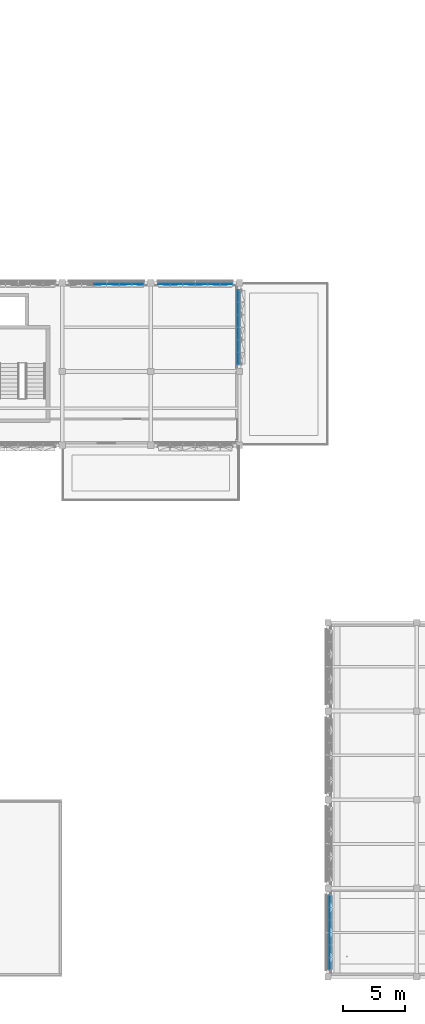
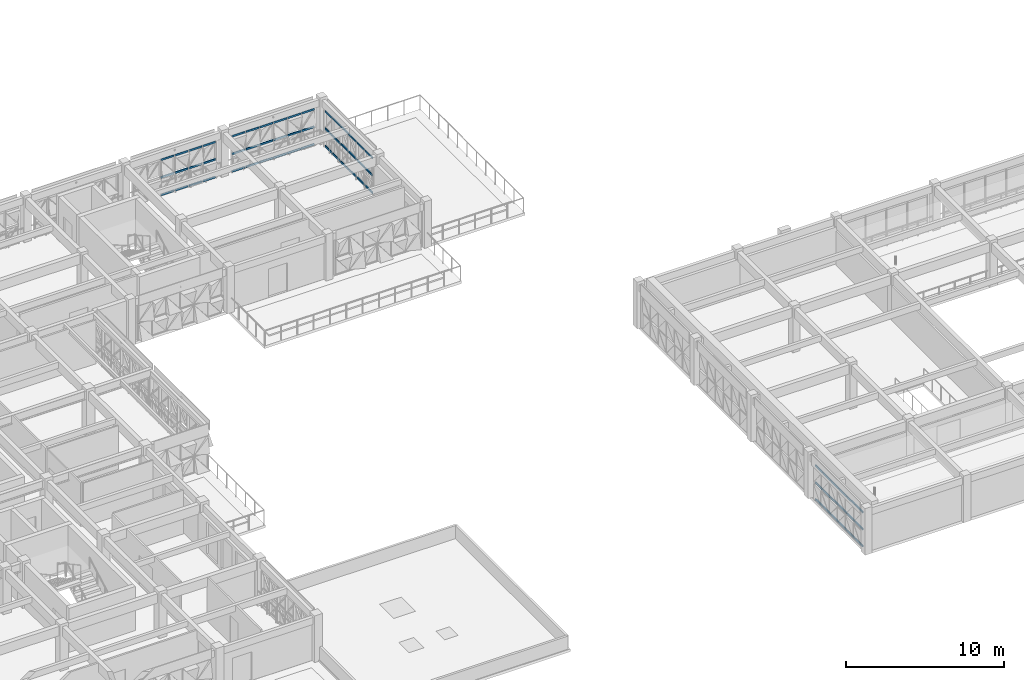
# One storey, part 19 of 74: 66 members, 4 elements without a shape of their own.
"""IFC4 building model written with IfcOpenShell, lengths in metres."""

from ifc_helpers import new_model, si_unit, direction, frame, origin, origin_2d, place, context, subcontext, project, spatial, rectangle, extrude, material, material_profile, profile_set, type_object, element, aggregate, save


model = new_model("IFC4")

# Units and contexts
model_context = context("Model", 3, precision=1e-05, world=origin(), true_north=direction((0.0, 1.0)))
body_context = subcontext(model_context, "Body", "Model", "MODEL_VIEW")
ifc_project = project(units=[si_unit("LENGTHUNIT", "METRE"), si_unit("AREAUNIT", "SQUARE_METRE"), si_unit("VOLUMEUNIT", "CUBIC_METRE"), si_unit("PLANEANGLEUNIT", "RADIAN"), si_unit("MASSUNIT", "GRAM", prefix="KILO")], contexts=[model_context])

# Site, building, storey
site_placement = place(None, origin())
site = spatial("IfcSite", under=ifc_project, at=site_placement, CompositionType="ELEMENT")
building_placement = place(site_placement, origin())
building = spatial("IfcBuilding", under=site, at=building_placement, Name="Alvorim Cloister Faculty of Sciences", CompositionType="ELEMENT")
storey_placement = place(building_placement, frame((0.0, 0.0, 15.75)))
storey = spatial("IfcBuildingStorey", under=building, at=storey_placement, Name="L04", CompositionType="ELEMENT", Elevation=15.75)

# Curtain wall, members
ifc_material_1 = material(Name="Aluminium and Low-E Glass Curtain Wall", Category="aluminium")
curtain_wall_type_1 = type_object("IfcCurtainWallType", Name="CW-TRI-6120x2850", PredefinedType="USERDEFINED", material=ifc_material_1)
curtain_wall_1_placement = place(storey_placement, origin())
curtain_wall_1 = element("IfcCurtainWall", 1, at=curtain_wall_1_placement, inside=storey, type_object=curtain_wall_type_1, Name="L04 Diagonal Cassette Curtain Wall CW-0192", ObjectType="UNITISED CURTAIN WALL", PredefinedType="USERDEFINED")
ifc_material_2 = material(Name="Aluminium Alloy 6063-T6", Category="aluminium")
ifc_material_profile = material_profile(ifc_material_2, rectangle(XDim=0.06494140625, YDim=0.139892578125, at=origin_2d()), Name="ALU-TRN-65x140")
ifc_profile_set = profile_set([ifc_material_profile], Name="Aluminium Alloy 6063-T6")
member_type = type_object("IfcMemberType", Name="CW-TRN-65x140", PredefinedType="USERDEFINED", material=ifc_profile_set)
member_1_placement = place(storey_placement, frame((45.8125, 56.31005859375, 0.070068359375), z_axis=(1.0, 0.0, 0.0), x_axis=(0.0, 1.0, 0.0)))
member_1 = element("IfcMember", 2, at=member_1_placement, type_object=member_type, Name="CW-0192 Transom 3.1", ObjectType="TRANSOM", PredefinedType="USERDEFINED", context=body_context, shape_type="SweptSolid", body=[
    extrude(rectangle(XDim=0.06494140625, YDim=0.139892578125, at=origin_2d()), origin(), (0.0, 0.0, 1.0), 0.955078125),
])
member_2_placement = place(storey_placement, frame((45.8125, 56.31005859375, 1.425048828125), z_axis=(1.0, 0.0, 0.0), x_axis=(0.0, 1.0, 0.0)))
member_2 = element("IfcMember", 3, at=member_2_placement, type_object=member_type, Name="CW-0192 Transom 3.2", ObjectType="TRANSOM", PredefinedType="USERDEFINED", context=body_context, shape_type="SweptSolid", body=[
    extrude(rectangle(XDim=0.06494140625, YDim=0.139892578125, at=origin_2d()), origin(), (0.0, 0.0, 1.0), 0.955078125),
])
member_3_placement = place(storey_placement, frame((45.8125, 56.31005859375, 2.780029296875), z_axis=(1.0, 0.0, 0.0), x_axis=(0.0, 1.0, 0.0)))
member_3 = element("IfcMember", 4, at=member_3_placement, type_object=member_type, Name="CW-0192 Transom 3.3", ObjectType="TRANSOM", PredefinedType="USERDEFINED", context=body_context, shape_type="SweptSolid", body=[
    extrude(rectangle(XDim=0.06494140625, YDim=0.139892578125, at=origin_2d()), origin(), (0.0, 0.0, 1.0), 0.955078125),
])
member_4_placement = place(storey_placement, frame((46.83251953125, 56.31005859375, 0.070068359375), z_axis=(1.0, 0.0, 0.0), x_axis=(0.0, 1.0, 0.0)))
member_4 = element("IfcMember", 5, at=member_4_placement, type_object=member_type, Name="CW-0192 Transom 4.1", ObjectType="TRANSOM", PredefinedType="USERDEFINED", context=body_context, shape_type="SweptSolid", body=[
    extrude(rectangle(XDim=0.06494140625, YDim=0.139892578125, at=origin_2d()), origin(), (0.0, 0.0, 1.0), 0.955078125),
])
member_5_placement = place(storey_placement, frame((46.83251953125, 56.31005859375, 1.425048828125), z_axis=(1.0, 0.0, 0.0), x_axis=(0.0, 1.0, 0.0)))
member_5 = element("IfcMember", 6, at=member_5_placement, type_object=member_type, Name="CW-0192 Transom 4.2", ObjectType="TRANSOM", PredefinedType="USERDEFINED", context=body_context, shape_type="SweptSolid", body=[
    extrude(rectangle(XDim=0.06494140625, YDim=0.139892578125, at=origin_2d()), origin(), (0.0, 0.0, 1.0), 0.955078125),
])
member_6_placement = place(storey_placement, frame((46.83251953125, 56.31005859375, 2.780029296875), z_axis=(1.0, 0.0, 0.0), x_axis=(0.0, 1.0, 0.0)))
member_6 = element("IfcMember", 7, at=member_6_placement, type_object=member_type, Name="CW-0192 Transom 4.3", ObjectType="TRANSOM", PredefinedType="USERDEFINED", context=body_context, shape_type="SweptSolid", body=[
    extrude(rectangle(XDim=0.06494140625, YDim=0.139892578125, at=origin_2d()), origin(), (0.0, 0.0, 1.0), 0.955078125),
])
member_7_placement = place(storey_placement, frame((47.8525390625, 56.31005859375, 0.070068359375), z_axis=(1.0, 0.0, 0.0), x_axis=(0.0, 1.0, 0.0)))
member_7 = element("IfcMember", 8, at=member_7_placement, type_object=member_type, Name="CW-0192 Transom 5.1", ObjectType="TRANSOM", PredefinedType="USERDEFINED", context=body_context, shape_type="SweptSolid", body=[
    extrude(rectangle(XDim=0.06494140625, YDim=0.139892578125, at=origin_2d()), origin(), (0.0, 0.0, 1.0), 0.955078125),
])
member_8_placement = place(storey_placement, frame((47.8525390625, 56.31005859375, 1.425048828125), z_axis=(1.0, 0.0, 0.0), x_axis=(0.0, 1.0, 0.0)))
member_8 = element("IfcMember", 9, at=member_8_placement, type_object=member_type, Name="CW-0192 Transom 5.2", ObjectType="TRANSOM", PredefinedType="USERDEFINED", context=body_context, shape_type="SweptSolid", body=[
    extrude(rectangle(XDim=0.06494140625, YDim=0.139892578125, at=origin_2d()), origin(), (0.0, 0.0, 1.0), 0.955078125),
])
member_9_placement = place(storey_placement, frame((47.8525390625, 56.31005859375, 2.780029296875), z_axis=(1.0, 0.0, 0.0), x_axis=(0.0, 1.0, 0.0)))
member_9 = element("IfcMember", 10, at=member_9_placement, type_object=member_type, Name="CW-0192 Transom 5.3", ObjectType="TRANSOM", PredefinedType="USERDEFINED", context=body_context, shape_type="SweptSolid", body=[
    extrude(rectangle(XDim=0.06494140625, YDim=0.139892578125, at=origin_2d()), origin(), (0.0, 0.0, 1.0), 0.955078125),
])
member_10_placement = place(storey_placement, frame((48.87255859375, 56.31005859375, 0.070068359375), z_axis=(1.0, 0.0, 0.0), x_axis=(0.0, 1.0, 0.0)))
member_10 = element("IfcMember", 11, at=member_10_placement, type_object=member_type, Name="CW-0192 Transom 6.1", ObjectType="TRANSOM", PredefinedType="USERDEFINED", context=body_context, shape_type="SweptSolid", body=[
    extrude(rectangle(XDim=0.06494140625, YDim=0.139892578125, at=origin_2d()), origin(), (0.0, 0.0, 1.0), 0.92236328125),
])
member_11_placement = place(storey_placement, frame((48.87255859375, 56.31005859375, 1.425048828125), z_axis=(1.0, 0.0, 0.0), x_axis=(0.0, 1.0, 0.0)))
member_11 = element("IfcMember", 12, at=member_11_placement, type_object=member_type, Name="CW-0192 Transom 6.2", ObjectType="TRANSOM", PredefinedType="USERDEFINED", context=body_context, shape_type="SweptSolid", body=[
    extrude(rectangle(XDim=0.06494140625, YDim=0.139892578125, at=origin_2d()), origin(), (0.0, 0.0, 1.0), 0.92236328125),
])
member_12_placement = place(storey_placement, frame((48.87255859375, 56.31005859375, 2.780029296875), z_axis=(1.0, 0.0, 0.0), x_axis=(0.0, 1.0, 0.0)))
member_12 = element("IfcMember", 13, at=member_12_placement, type_object=member_type, Name="CW-0192 Transom 6.3", ObjectType="TRANSOM", PredefinedType="USERDEFINED", context=body_context, shape_type="SweptSolid", body=[
    extrude(rectangle(XDim=0.06494140625, YDim=0.139892578125, at=origin_2d()), origin(), (0.0, 0.0, 1.0), 0.92236328125),
])
aggregate(curtain_wall_1, [member_1, member_2, member_3, member_4, member_5, member_6, member_7, member_8, member_9, member_10, member_11, member_12])

curtain_wall_2_placement = place(storey_placement, origin())
curtain_wall_2 = element("IfcCurtainWall", 14, at=curtain_wall_2_placement, inside=storey, type_object=curtain_wall_type_1, Name="L04 Diagonal Cassette Curtain Wall CW-0193", ObjectType="UNITISED CURTAIN WALL", PredefinedType="USERDEFINED")
member_13_placement = place(storey_placement, frame((51.0048828125, 56.31005859375, 0.070068359375), z_axis=(1.0, 0.0, 0.0), x_axis=(0.0, 1.0, 0.0)))
member_13 = element("IfcMember", 15, at=member_13_placement, type_object=member_type, Name="CW-0193 Transom 1.1", ObjectType="TRANSOM", PredefinedType="USERDEFINED", context=body_context, shape_type="SweptSolid", body=[
    extrude(rectangle(XDim=0.06494140625, YDim=0.139892578125, at=origin_2d()), origin(), (0.0, 0.0, 1.0), 0.922607421875),
])
member_14_placement = place(storey_placement, frame((51.0048828125, 56.31005859375, 1.425048828125), z_axis=(1.0, 0.0, 0.0), x_axis=(0.0, 1.0, 0.0)))
member_14 = element("IfcMember", 16, at=member_14_placement, type_object=member_type, Name="CW-0193 Transom 1.2", ObjectType="TRANSOM", PredefinedType="USERDEFINED", context=body_context, shape_type="SweptSolid", body=[
    extrude(rectangle(XDim=0.06494140625, YDim=0.139892578125, at=origin_2d()), origin(), (0.0, 0.0, 1.0), 0.922607421875),
])
member_15_placement = place(storey_placement, frame((51.0048828125, 56.31005859375, 2.780029296875), z_axis=(1.0, 0.0, 0.0), x_axis=(0.0, 1.0, 0.0)))
member_15 = element("IfcMember", 17, at=member_15_placement, type_object=member_type, Name="CW-0193 Transom 1.3", ObjectType="TRANSOM", PredefinedType="USERDEFINED", context=body_context, shape_type="SweptSolid", body=[
    extrude(rectangle(XDim=0.06494140625, YDim=0.139892578125, at=origin_2d()), origin(), (0.0, 0.0, 1.0), 0.922607421875),
])
member_16_placement = place(storey_placement, frame((51.992431640625, 56.31005859375, 0.070068359375), z_axis=(1.0, 0.0, 0.0), x_axis=(0.0, 1.0, 0.0)))
member_16 = element("IfcMember", 18, at=member_16_placement, type_object=member_type, Name="CW-0193 Transom 2.1", ObjectType="TRANSOM", PredefinedType="USERDEFINED", context=body_context, shape_type="SweptSolid", body=[
    extrude(rectangle(XDim=0.06494140625, YDim=0.139892578125, at=origin_2d()), origin(), (0.0, 0.0, 1.0), 0.955078125),
])
member_17_placement = place(storey_placement, frame((51.992431640625, 56.31005859375, 1.425048828125), z_axis=(1.0, 0.0, 0.0), x_axis=(0.0, 1.0, 0.0)))
member_17 = element("IfcMember", 19, at=member_17_placement, type_object=member_type, Name="CW-0193 Transom 2.2", ObjectType="TRANSOM", PredefinedType="USERDEFINED", context=body_context, shape_type="SweptSolid", body=[
    extrude(rectangle(XDim=0.06494140625, YDim=0.139892578125, at=origin_2d()), origin(), (0.0, 0.0, 1.0), 0.955078125),
])
member_18_placement = place(storey_placement, frame((51.992431640625, 56.31005859375, 2.780029296875), z_axis=(1.0, 0.0, 0.0), x_axis=(0.0, 1.0, 0.0)))
member_18 = element("IfcMember", 20, at=member_18_placement, type_object=member_type, Name="CW-0193 Transom 2.3", ObjectType="TRANSOM", PredefinedType="USERDEFINED", context=body_context, shape_type="SweptSolid", body=[
    extrude(rectangle(XDim=0.06494140625, YDim=0.139892578125, at=origin_2d()), origin(), (0.0, 0.0, 1.0), 0.955078125),
])
member_19_placement = place(storey_placement, frame((53.012451171875, 56.31005859375, 0.070068359375), z_axis=(1.0, 0.0, 0.0), x_axis=(0.0, 1.0, 0.0)))
member_19 = element("IfcMember", 21, at=member_19_placement, type_object=member_type, Name="CW-0193 Transom 3.1", ObjectType="TRANSOM", PredefinedType="USERDEFINED", context=body_context, shape_type="SweptSolid", body=[
    extrude(rectangle(XDim=0.06494140625, YDim=0.139892578125, at=origin_2d()), origin(), (0.0, 0.0, 1.0), 0.955078125),
])
member_20_placement = place(storey_placement, frame((53.012451171875, 56.31005859375, 1.425048828125), z_axis=(1.0, 0.0, 0.0), x_axis=(0.0, 1.0, 0.0)))
member_20 = element("IfcMember", 22, at=member_20_placement, type_object=member_type, Name="CW-0193 Transom 3.2", ObjectType="TRANSOM", PredefinedType="USERDEFINED", context=body_context, shape_type="SweptSolid", body=[
    extrude(rectangle(XDim=0.06494140625, YDim=0.139892578125, at=origin_2d()), origin(), (0.0, 0.0, 1.0), 0.955078125),
])
member_21_placement = place(storey_placement, frame((53.012451171875, 56.31005859375, 2.780029296875), z_axis=(1.0, 0.0, 0.0), x_axis=(0.0, 1.0, 0.0)))
member_21 = element("IfcMember", 23, at=member_21_placement, type_object=member_type, Name="CW-0193 Transom 3.3", ObjectType="TRANSOM", PredefinedType="USERDEFINED", context=body_context, shape_type="SweptSolid", body=[
    extrude(rectangle(XDim=0.06494140625, YDim=0.139892578125, at=origin_2d()), origin(), (0.0, 0.0, 1.0), 0.955078125),
])
member_22_placement = place(storey_placement, frame((54.032470703125, 56.31005859375, 0.070068359375), z_axis=(1.0, 0.0, 0.0), x_axis=(0.0, 1.0, 0.0)))
member_22 = element("IfcMember", 24, at=member_22_placement, type_object=member_type, Name="CW-0193 Transom 4.1", ObjectType="TRANSOM", PredefinedType="USERDEFINED", context=body_context, shape_type="SweptSolid", body=[
    extrude(rectangle(XDim=0.06494140625, YDim=0.139892578125, at=origin_2d()), origin(), (0.0, 0.0, 1.0), 0.955078125),
])
member_23_placement = place(storey_placement, frame((54.032470703125, 56.31005859375, 1.425048828125), z_axis=(1.0, 0.0, 0.0), x_axis=(0.0, 1.0, 0.0)))
member_23 = element("IfcMember", 25, at=member_23_placement, type_object=member_type, Name="CW-0193 Transom 4.2", ObjectType="TRANSOM", PredefinedType="USERDEFINED", context=body_context, shape_type="SweptSolid", body=[
    extrude(rectangle(XDim=0.06494140625, YDim=0.139892578125, at=origin_2d()), origin(), (0.0, 0.0, 1.0), 0.955078125),
])
member_24_placement = place(storey_placement, frame((54.032470703125, 56.31005859375, 2.780029296875), z_axis=(1.0, 0.0, 0.0), x_axis=(0.0, 1.0, 0.0)))
member_24 = element("IfcMember", 26, at=member_24_placement, type_object=member_type, Name="CW-0193 Transom 4.3", ObjectType="TRANSOM", PredefinedType="USERDEFINED", context=body_context, shape_type="SweptSolid", body=[
    extrude(rectangle(XDim=0.06494140625, YDim=0.139892578125, at=origin_2d()), origin(), (0.0, 0.0, 1.0), 0.955078125),
])
member_25_placement = place(storey_placement, frame((55.052490234375, 56.31005859375, 0.070068359375), z_axis=(1.0, 0.0, 0.0), x_axis=(0.0, 1.0, 0.0)))
member_25 = element("IfcMember", 27, at=member_25_placement, type_object=member_type, Name="CW-0193 Transom 5.1", ObjectType="TRANSOM", PredefinedType="USERDEFINED", context=body_context, shape_type="SweptSolid", body=[
    extrude(rectangle(XDim=0.06494140625, YDim=0.139892578125, at=origin_2d()), origin(), (0.0, 0.0, 1.0), 0.955078125),
])
member_26_placement = place(storey_placement, frame((55.052490234375, 56.31005859375, 1.425048828125), z_axis=(1.0, 0.0, 0.0), x_axis=(0.0, 1.0, 0.0)))
member_26 = element("IfcMember", 28, at=member_26_placement, type_object=member_type, Name="CW-0193 Transom 5.2", ObjectType="TRANSOM", PredefinedType="USERDEFINED", context=body_context, shape_type="SweptSolid", body=[
    extrude(rectangle(XDim=0.06494140625, YDim=0.139892578125, at=origin_2d()), origin(), (0.0, 0.0, 1.0), 0.955078125),
])
member_27_placement = place(storey_placement, frame((55.052490234375, 56.31005859375, 2.780029296875), z_axis=(1.0, 0.0, 0.0), x_axis=(0.0, 1.0, 0.0)))
member_27 = element("IfcMember", 29, at=member_27_placement, type_object=member_type, Name="CW-0193 Transom 5.3", ObjectType="TRANSOM", PredefinedType="USERDEFINED", context=body_context, shape_type="SweptSolid", body=[
    extrude(rectangle(XDim=0.06494140625, YDim=0.139892578125, at=origin_2d()), origin(), (0.0, 0.0, 1.0), 0.955078125),
])
member_28_placement = place(storey_placement, frame((56.072509765625, 56.31005859375, 0.070068359375), z_axis=(1.0, 0.0, 0.0), x_axis=(0.0, 1.0, 0.0)))
member_28 = element("IfcMember", 30, at=member_28_placement, type_object=member_type, Name="CW-0193 Transom 6.1", ObjectType="TRANSOM", PredefinedType="USERDEFINED", context=body_context, shape_type="SweptSolid", body=[
    extrude(rectangle(XDim=0.06494140625, YDim=0.139892578125, at=origin_2d()), origin(), (0.0, 0.0, 1.0), 0.922607421875),
])
member_29_placement = place(storey_placement, frame((56.072509765625, 56.31005859375, 1.425048828125), z_axis=(1.0, 0.0, 0.0), x_axis=(0.0, 1.0, 0.0)))
member_29 = element("IfcMember", 31, at=member_29_placement, type_object=member_type, Name="CW-0193 Transom 6.2", ObjectType="TRANSOM", PredefinedType="USERDEFINED", context=body_context, shape_type="SweptSolid", body=[
    extrude(rectangle(XDim=0.06494140625, YDim=0.139892578125, at=origin_2d()), origin(), (0.0, 0.0, 1.0), 0.922607421875),
])
member_30_placement = place(storey_placement, frame((56.072509765625, 56.31005859375, 2.780029296875), z_axis=(1.0, 0.0, 0.0), x_axis=(0.0, 1.0, 0.0)))
member_30 = element("IfcMember", 32, at=member_30_placement, type_object=member_type, Name="CW-0193 Transom 6.3", ObjectType="TRANSOM", PredefinedType="USERDEFINED", context=body_context, shape_type="SweptSolid", body=[
    extrude(rectangle(XDim=0.06494140625, YDim=0.139892578125, at=origin_2d()), origin(), (0.0, 0.0, 1.0), 0.922607421875),
])
aggregate(curtain_wall_2, [member_13, member_14, member_15, member_16, member_17, member_18, member_19, member_20, member_21, member_22, member_23, member_24, member_25, member_26, member_27, member_28, member_29, member_30])

curtain_wall_3_placement = place(storey_placement, origin())
curtain_wall_3 = element("IfcCurtainWall", 33, at=curtain_wall_3_placement, inside=storey, type_object=curtain_wall_type_1, Name="L04 Diagonal Cassette Curtain Wall CW-0194", ObjectType="UNITISED CURTAIN WALL", PredefinedType="USERDEFINED")
member_31_placement = place(storey_placement, frame((57.510009765625, 49.804931640625, 0.070068359375), z_axis=(0.0, 1.0, 0.0), x_axis=(-1.0, 0.0, 0.0)))
member_31 = element("IfcMember", 34, at=member_31_placement, type_object=member_type, Name="CW-0194 Transom 1.1", ObjectType="TRANSOM", PredefinedType="USERDEFINED", context=body_context, shape_type="SweptSolid", body=[
    extrude(rectangle(XDim=0.06494140625, YDim=0.139892578125, at=origin_2d()), origin(), (0.0, 0.0, 1.0), 0.922607421875),
])
member_32_placement = place(storey_placement, frame((57.510009765625, 49.804931640625, 1.425048828125), z_axis=(0.0, 1.0, 0.0), x_axis=(-1.0, 0.0, 0.0)))
member_32 = element("IfcMember", 35, at=member_32_placement, type_object=member_type, Name="CW-0194 Transom 1.2", ObjectType="TRANSOM", PredefinedType="USERDEFINED", context=body_context, shape_type="SweptSolid", body=[
    extrude(rectangle(XDim=0.06494140625, YDim=0.139892578125, at=origin_2d()), origin(), (0.0, 0.0, 1.0), 0.922607421875),
])
member_33_placement = place(storey_placement, frame((57.510009765625, 49.804931640625, 2.780029296875), z_axis=(0.0, 1.0, 0.0), x_axis=(-1.0, 0.0, 0.0)))
member_33 = element("IfcMember", 36, at=member_33_placement, type_object=member_type, Name="CW-0194 Transom 1.3", ObjectType="TRANSOM", PredefinedType="USERDEFINED", context=body_context, shape_type="SweptSolid", body=[
    extrude(rectangle(XDim=0.06494140625, YDim=0.139892578125, at=origin_2d()), origin(), (0.0, 0.0, 1.0), 0.922607421875),
])
member_34_placement = place(storey_placement, frame((57.510009765625, 50.79248046875, 0.070068359375), z_axis=(0.0, 1.0, 0.0), x_axis=(-1.0, 0.0, 0.0)))
member_34 = element("IfcMember", 37, at=member_34_placement, type_object=member_type, Name="CW-0194 Transom 2.1", ObjectType="TRANSOM", PredefinedType="USERDEFINED", context=body_context, shape_type="SweptSolid", body=[
    extrude(rectangle(XDim=0.06494140625, YDim=0.139892578125, at=origin_2d()), origin(), (0.0, 0.0, 1.0), 0.955078125),
])
member_35_placement = place(storey_placement, frame((57.510009765625, 50.79248046875, 1.425048828125), z_axis=(0.0, 1.0, 0.0), x_axis=(-1.0, 0.0, 0.0)))
member_35 = element("IfcMember", 38, at=member_35_placement, type_object=member_type, Name="CW-0194 Transom 2.2", ObjectType="TRANSOM", PredefinedType="USERDEFINED", context=body_context, shape_type="SweptSolid", body=[
    extrude(rectangle(XDim=0.06494140625, YDim=0.139892578125, at=origin_2d()), origin(), (0.0, 0.0, 1.0), 0.955078125),
])
member_36_placement = place(storey_placement, frame((57.510009765625, 50.79248046875, 2.780029296875), z_axis=(0.0, 1.0, 0.0), x_axis=(-1.0, 0.0, 0.0)))
member_36 = element("IfcMember", 39, at=member_36_placement, type_object=member_type, Name="CW-0194 Transom 2.3", ObjectType="TRANSOM", PredefinedType="USERDEFINED", context=body_context, shape_type="SweptSolid", body=[
    extrude(rectangle(XDim=0.06494140625, YDim=0.139892578125, at=origin_2d()), origin(), (0.0, 0.0, 1.0), 0.955078125),
])
member_37_placement = place(storey_placement, frame((57.510009765625, 51.8125, 0.070068359375), z_axis=(0.0, 1.0, 0.0), x_axis=(-1.0, 0.0, 0.0)))
member_37 = element("IfcMember", 40, at=member_37_placement, type_object=member_type, Name="CW-0194 Transom 3.1", ObjectType="TRANSOM", PredefinedType="USERDEFINED", context=body_context, shape_type="SweptSolid", body=[
    extrude(rectangle(XDim=0.06494140625, YDim=0.139892578125, at=origin_2d()), origin(), (0.0, 0.0, 1.0), 0.955078125),
])
member_38_placement = place(storey_placement, frame((57.510009765625, 51.8125, 1.425048828125), z_axis=(0.0, 1.0, 0.0), x_axis=(-1.0, 0.0, 0.0)))
member_38 = element("IfcMember", 41, at=member_38_placement, type_object=member_type, Name="CW-0194 Transom 3.2", ObjectType="TRANSOM", PredefinedType="USERDEFINED", context=body_context, shape_type="SweptSolid", body=[
    extrude(rectangle(XDim=0.06494140625, YDim=0.139892578125, at=origin_2d()), origin(), (0.0, 0.0, 1.0), 0.955078125),
])
member_39_placement = place(storey_placement, frame((57.510009765625, 51.8125, 2.780029296875), z_axis=(0.0, 1.0, 0.0), x_axis=(-1.0, 0.0, 0.0)))
member_39 = element("IfcMember", 42, at=member_39_placement, type_object=member_type, Name="CW-0194 Transom 3.3", ObjectType="TRANSOM", PredefinedType="USERDEFINED", context=body_context, shape_type="SweptSolid", body=[
    extrude(rectangle(XDim=0.06494140625, YDim=0.139892578125, at=origin_2d()), origin(), (0.0, 0.0, 1.0), 0.955078125),
])
member_40_placement = place(storey_placement, frame((57.510009765625, 52.83251953125, 0.070068359375), z_axis=(0.0, 1.0, 0.0), x_axis=(-1.0, 0.0, 0.0)))
member_40 = element("IfcMember", 43, at=member_40_placement, type_object=member_type, Name="CW-0194 Transom 4.1", ObjectType="TRANSOM", PredefinedType="USERDEFINED", context=body_context, shape_type="SweptSolid", body=[
    extrude(rectangle(XDim=0.06494140625, YDim=0.139892578125, at=origin_2d()), origin(), (0.0, 0.0, 1.0), 0.955078125),
])
member_41_placement = place(storey_placement, frame((57.510009765625, 52.83251953125, 1.425048828125), z_axis=(0.0, 1.0, 0.0), x_axis=(-1.0, 0.0, 0.0)))
member_41 = element("IfcMember", 44, at=member_41_placement, type_object=member_type, Name="CW-0194 Transom 4.2", ObjectType="TRANSOM", PredefinedType="USERDEFINED", context=body_context, shape_type="SweptSolid", body=[
    extrude(rectangle(XDim=0.06494140625, YDim=0.139892578125, at=origin_2d()), origin(), (0.0, 0.0, 1.0), 0.955078125),
])
member_42_placement = place(storey_placement, frame((57.510009765625, 52.83251953125, 2.780029296875), z_axis=(0.0, 1.0, 0.0), x_axis=(-1.0, 0.0, 0.0)))
member_42 = element("IfcMember", 45, at=member_42_placement, type_object=member_type, Name="CW-0194 Transom 4.3", ObjectType="TRANSOM", PredefinedType="USERDEFINED", context=body_context, shape_type="SweptSolid", body=[
    extrude(rectangle(XDim=0.06494140625, YDim=0.139892578125, at=origin_2d()), origin(), (0.0, 0.0, 1.0), 0.955078125),
])
member_43_placement = place(storey_placement, frame((57.510009765625, 53.8525390625, 0.070068359375), z_axis=(0.0, 1.0, 0.0), x_axis=(-1.0, 0.0, 0.0)))
member_43 = element("IfcMember", 46, at=member_43_placement, type_object=member_type, Name="CW-0194 Transom 5.1", ObjectType="TRANSOM", PredefinedType="USERDEFINED", context=body_context, shape_type="SweptSolid", body=[
    extrude(rectangle(XDim=0.06494140625, YDim=0.139892578125, at=origin_2d()), origin(), (0.0, 0.0, 1.0), 0.955078125),
])
member_44_placement = place(storey_placement, frame((57.510009765625, 53.8525390625, 1.425048828125), z_axis=(0.0, 1.0, 0.0), x_axis=(-1.0, 0.0, 0.0)))
member_44 = element("IfcMember", 47, at=member_44_placement, type_object=member_type, Name="CW-0194 Transom 5.2", ObjectType="TRANSOM", PredefinedType="USERDEFINED", context=body_context, shape_type="SweptSolid", body=[
    extrude(rectangle(XDim=0.06494140625, YDim=0.139892578125, at=origin_2d()), origin(), (0.0, 0.0, 1.0), 0.955078125),
])
member_45_placement = place(storey_placement, frame((57.510009765625, 53.8525390625, 2.780029296875), z_axis=(0.0, 1.0, 0.0), x_axis=(-1.0, 0.0, 0.0)))
member_45 = element("IfcMember", 48, at=member_45_placement, type_object=member_type, Name="CW-0194 Transom 5.3", ObjectType="TRANSOM", PredefinedType="USERDEFINED", context=body_context, shape_type="SweptSolid", body=[
    extrude(rectangle(XDim=0.06494140625, YDim=0.139892578125, at=origin_2d()), origin(), (0.0, 0.0, 1.0), 0.955078125),
])
member_46_placement = place(storey_placement, frame((57.510009765625, 54.87255859375, 0.070068359375), z_axis=(0.0, 1.0, 0.0), x_axis=(-1.0, 0.0, 0.0)))
member_46 = element("IfcMember", 49, at=member_46_placement, type_object=member_type, Name="CW-0194 Transom 6.1", ObjectType="TRANSOM", PredefinedType="USERDEFINED", context=body_context, shape_type="SweptSolid", body=[
    extrude(rectangle(XDim=0.06494140625, YDim=0.139892578125, at=origin_2d()), origin(), (0.0, 0.0, 1.0), 0.92236328125),
])
member_47_placement = place(storey_placement, frame((57.510009765625, 54.87255859375, 1.425048828125), z_axis=(0.0, 1.0, 0.0), x_axis=(-1.0, 0.0, 0.0)))
member_47 = element("IfcMember", 50, at=member_47_placement, type_object=member_type, Name="CW-0194 Transom 6.2", ObjectType="TRANSOM", PredefinedType="USERDEFINED", context=body_context, shape_type="SweptSolid", body=[
    extrude(rectangle(XDim=0.06494140625, YDim=0.139892578125, at=origin_2d()), origin(), (0.0, 0.0, 1.0), 0.92236328125),
])
member_48_placement = place(storey_placement, frame((57.510009765625, 54.87255859375, 2.780029296875), z_axis=(0.0, 1.0, 0.0), x_axis=(-1.0, 0.0, 0.0)))
member_48 = element("IfcMember", 51, at=member_48_placement, type_object=member_type, Name="CW-0194 Transom 6.3", ObjectType="TRANSOM", PredefinedType="USERDEFINED", context=body_context, shape_type="SweptSolid", body=[
    extrude(rectangle(XDim=0.06494140625, YDim=0.139892578125, at=origin_2d()), origin(), (0.0, 0.0, 1.0), 0.92236328125),
])
aggregate(curtain_wall_3, [member_31, member_32, member_33, member_34, member_35, member_36, member_37, member_38, member_39, member_40, member_41, member_42, member_43, member_44, member_45, member_46, member_47, member_48])

curtain_wall_type_2 = type_object("IfcCurtainWallType", Name="CW-TRI-6120x2746", PredefinedType="USERDEFINED", material=ifc_material_1)
curtain_wall_4_placement = place(storey_placement, origin())
curtain_wall_4 = element("IfcCurtainWall", 52, at=curtain_wall_4_placement, inside=storey, type_object=curtain_wall_type_2, Name="L04 Diagonal Cassette Curtain Wall CW-0206", ObjectType="UNITISED CURTAIN WALL", PredefinedType="USERDEFINED")
member_49_placement = place(storey_placement, frame((64.889892578125, 0.60498046875, 0.070068359375), z_axis=(0.0, 1.0, 0.0), x_axis=(-1.0, 0.0, 0.0)))
member_49 = element("IfcMember", 53, at=member_49_placement, type_object=member_type, Name="CW-0206 Transom 1.1", ObjectType="TRANSOM", PredefinedType="USERDEFINED", context=body_context, shape_type="SweptSolid", body=[
    extrude(rectangle(XDim=0.06494140625, YDim=0.139892578125, at=origin_2d()), origin(), (0.0, 0.0, 1.0), 0.922607421875),
])
member_50_placement = place(storey_placement, frame((64.889892578125, 0.60498046875, 1.372802734375), z_axis=(0.0, 1.0, 0.0), x_axis=(-1.0, 0.0, 0.0)))
member_50 = element("IfcMember", 54, at=member_50_placement, type_object=member_type, Name="CW-0206 Transom 1.2", ObjectType="TRANSOM", PredefinedType="USERDEFINED", context=body_context, shape_type="SweptSolid", body=[
    extrude(rectangle(XDim=0.06494140625, YDim=0.139892578125, at=origin_2d()), origin(), (0.0, 0.0, 1.0), 0.922607421875),
])
member_51_placement = place(storey_placement, frame((64.889892578125, 0.60498046875, 2.675537109375), z_axis=(0.0, 1.0, 0.0), x_axis=(-1.0, 0.0, 0.0)))
member_51 = element("IfcMember", 55, at=member_51_placement, type_object=member_type, Name="CW-0206 Transom 1.3", ObjectType="TRANSOM", PredefinedType="USERDEFINED", context=body_context, shape_type="SweptSolid", body=[
    extrude(rectangle(XDim=0.06494140625, YDim=0.139892578125, at=origin_2d()), origin(), (0.0, 0.0, 1.0), 0.922607421875),
])
member_52_placement = place(storey_placement, frame((64.889892578125, 1.592529296875, 0.070068359375), z_axis=(0.0, 1.0, 0.0), x_axis=(-1.0, 0.0, 0.0)))
member_52 = element("IfcMember", 56, at=member_52_placement, type_object=member_type, Name="CW-0206 Transom 2.1", ObjectType="TRANSOM", PredefinedType="USERDEFINED", context=body_context, shape_type="SweptSolid", body=[
    extrude(rectangle(XDim=0.06494140625, YDim=0.139892578125, at=origin_2d()), origin(), (0.0, 0.0, 1.0), 0.955078125),
])
member_53_placement = place(storey_placement, frame((64.889892578125, 1.592529296875, 1.372802734375), z_axis=(0.0, 1.0, 0.0), x_axis=(-1.0, 0.0, 0.0)))
member_53 = element("IfcMember", 57, at=member_53_placement, type_object=member_type, Name="CW-0206 Transom 2.2", ObjectType="TRANSOM", PredefinedType="USERDEFINED", context=body_context, shape_type="SweptSolid", body=[
    extrude(rectangle(XDim=0.06494140625, YDim=0.139892578125, at=origin_2d()), origin(), (0.0, 0.0, 1.0), 0.955078125),
])
member_54_placement = place(storey_placement, frame((64.889892578125, 1.592529296875, 2.675537109375), z_axis=(0.0, 1.0, 0.0), x_axis=(-1.0, 0.0, 0.0)))
member_54 = element("IfcMember", 58, at=member_54_placement, type_object=member_type, Name="CW-0206 Transom 2.3", ObjectType="TRANSOM", PredefinedType="USERDEFINED", context=body_context, shape_type="SweptSolid", body=[
    extrude(rectangle(XDim=0.06494140625, YDim=0.139892578125, at=origin_2d()), origin(), (0.0, 0.0, 1.0), 0.955078125),
])
member_55_placement = place(storey_placement, frame((64.889892578125, 2.612548828125, 0.070068359375), z_axis=(0.0, 1.0, 0.0), x_axis=(-1.0, 0.0, 0.0)))
member_55 = element("IfcMember", 59, at=member_55_placement, type_object=member_type, Name="CW-0206 Transom 3.1", ObjectType="TRANSOM", PredefinedType="USERDEFINED", context=body_context, shape_type="SweptSolid", body=[
    extrude(rectangle(XDim=0.06494140625, YDim=0.139892578125, at=origin_2d()), origin(), (0.0, 0.0, 1.0), 0.954833984375),
])
member_56_placement = place(storey_placement, frame((64.889892578125, 2.612548828125, 1.372802734375), z_axis=(0.0, 1.0, 0.0), x_axis=(-1.0, 0.0, 0.0)))
member_56 = element("IfcMember", 60, at=member_56_placement, type_object=member_type, Name="CW-0206 Transom 3.2", ObjectType="TRANSOM", PredefinedType="USERDEFINED", context=body_context, shape_type="SweptSolid", body=[
    extrude(rectangle(XDim=0.06494140625, YDim=0.139892578125, at=origin_2d()), origin(), (0.0, 0.0, 1.0), 0.954833984375),
])
member_57_placement = place(storey_placement, frame((64.889892578125, 2.612548828125, 2.675537109375), z_axis=(0.0, 1.0, 0.0), x_axis=(-1.0, 0.0, 0.0)))
member_57 = element("IfcMember", 61, at=member_57_placement, type_object=member_type, Name="CW-0206 Transom 3.3", ObjectType="TRANSOM", PredefinedType="USERDEFINED", context=body_context, shape_type="SweptSolid", body=[
    extrude(rectangle(XDim=0.06494140625, YDim=0.139892578125, at=origin_2d()), origin(), (0.0, 0.0, 1.0), 0.954833984375),
])
member_58_placement = place(storey_placement, frame((64.889892578125, 3.632568359375, 0.070068359375), z_axis=(0.0, 1.0, 0.0), x_axis=(-1.0, 0.0, 0.0)))
member_58 = element("IfcMember", 62, at=member_58_placement, type_object=member_type, Name="CW-0206 Transom 4.1", ObjectType="TRANSOM", PredefinedType="USERDEFINED", context=body_context, shape_type="SweptSolid", body=[
    extrude(rectangle(XDim=0.06494140625, YDim=0.139892578125, at=origin_2d()), origin(), (0.0, 0.0, 1.0), 0.954833984375),
])
member_59_placement = place(storey_placement, frame((64.889892578125, 3.632568359375, 1.372802734375), z_axis=(0.0, 1.0, 0.0), x_axis=(-1.0, 0.0, 0.0)))
member_59 = element("IfcMember", 63, at=member_59_placement, type_object=member_type, Name="CW-0206 Transom 4.2", ObjectType="TRANSOM", PredefinedType="USERDEFINED", context=body_context, shape_type="SweptSolid", body=[
    extrude(rectangle(XDim=0.06494140625, YDim=0.139892578125, at=origin_2d()), origin(), (0.0, 0.0, 1.0), 0.954833984375),
])
member_60_placement = place(storey_placement, frame((64.889892578125, 3.632568359375, 2.675537109375), z_axis=(0.0, 1.0, 0.0), x_axis=(-1.0, 0.0, 0.0)))
member_60 = element("IfcMember", 64, at=member_60_placement, type_object=member_type, Name="CW-0206 Transom 4.3", ObjectType="TRANSOM", PredefinedType="USERDEFINED", context=body_context, shape_type="SweptSolid", body=[
    extrude(rectangle(XDim=0.06494140625, YDim=0.139892578125, at=origin_2d()), origin(), (0.0, 0.0, 1.0), 0.954833984375),
])
member_61_placement = place(storey_placement, frame((64.889892578125, 4.652587890625, 0.070068359375), z_axis=(0.0, 1.0, 0.0), x_axis=(-1.0, 0.0, 0.0)))
member_61 = element("IfcMember", 65, at=member_61_placement, type_object=member_type, Name="CW-0206 Transom 5.1", ObjectType="TRANSOM", PredefinedType="USERDEFINED", context=body_context, shape_type="SweptSolid", body=[
    extrude(rectangle(XDim=0.06494140625, YDim=0.139892578125, at=origin_2d()), origin(), (0.0, 0.0, 1.0), 0.954833984375),
])
member_62_placement = place(storey_placement, frame((64.889892578125, 4.652587890625, 1.372802734375), z_axis=(0.0, 1.0, 0.0), x_axis=(-1.0, 0.0, 0.0)))
member_62 = element("IfcMember", 66, at=member_62_placement, type_object=member_type, Name="CW-0206 Transom 5.2", ObjectType="TRANSOM", PredefinedType="USERDEFINED", context=body_context, shape_type="SweptSolid", body=[
    extrude(rectangle(XDim=0.06494140625, YDim=0.139892578125, at=origin_2d()), origin(), (0.0, 0.0, 1.0), 0.954833984375),
])
member_63_placement = place(storey_placement, frame((64.889892578125, 4.652587890625, 2.675537109375), z_axis=(0.0, 1.0, 0.0), x_axis=(-1.0, 0.0, 0.0)))
member_63 = element("IfcMember", 67, at=member_63_placement, type_object=member_type, Name="CW-0206 Transom 5.3", ObjectType="TRANSOM", PredefinedType="USERDEFINED", context=body_context, shape_type="SweptSolid", body=[
    extrude(rectangle(XDim=0.06494140625, YDim=0.139892578125, at=origin_2d()), origin(), (0.0, 0.0, 1.0), 0.954833984375),
])
member_64_placement = place(storey_placement, frame((64.889892578125, 5.672607421875, 0.070068359375), z_axis=(0.0, 1.0, 0.0), x_axis=(-1.0, 0.0, 0.0)))
member_64 = element("IfcMember", 68, at=member_64_placement, type_object=member_type, Name="CW-0206 Transom 6.1", ObjectType="TRANSOM", PredefinedType="USERDEFINED", context=body_context, shape_type="SweptSolid", body=[
    extrude(rectangle(XDim=0.06494140625, YDim=0.139892578125, at=origin_2d()), origin(), (0.0, 0.0, 1.0), 0.92236328125),
])
member_65_placement = place(storey_placement, frame((64.889892578125, 5.672607421875, 1.372802734375), z_axis=(0.0, 1.0, 0.0), x_axis=(-1.0, 0.0, 0.0)))
member_65 = element("IfcMember", 69, at=member_65_placement, type_object=member_type, Name="CW-0206 Transom 6.2", ObjectType="TRANSOM", PredefinedType="USERDEFINED", context=body_context, shape_type="SweptSolid", body=[
    extrude(rectangle(XDim=0.06494140625, YDim=0.139892578125, at=origin_2d()), origin(), (0.0, 0.0, 1.0), 0.92236328125),
])
member_66_placement = place(storey_placement, frame((64.889892578125, 5.672607421875, 2.675537109375), z_axis=(0.0, 1.0, 0.0), x_axis=(-1.0, 0.0, 0.0)))
member_66 = element("IfcMember", 70, at=member_66_placement, type_object=member_type, Name="CW-0206 Transom 6.3", ObjectType="TRANSOM", PredefinedType="USERDEFINED", context=body_context, shape_type="SweptSolid", body=[
    extrude(rectangle(XDim=0.06494140625, YDim=0.139892578125, at=origin_2d()), origin(), (0.0, 0.0, 1.0), 0.92236328125),
])
aggregate(curtain_wall_4, [member_49, member_50, member_51, member_52, member_53, member_54, member_55, member_56, member_57, member_58, member_59, member_60, member_61, member_62, member_63, member_64, member_65, member_66])

save(model, "model.ifc")
